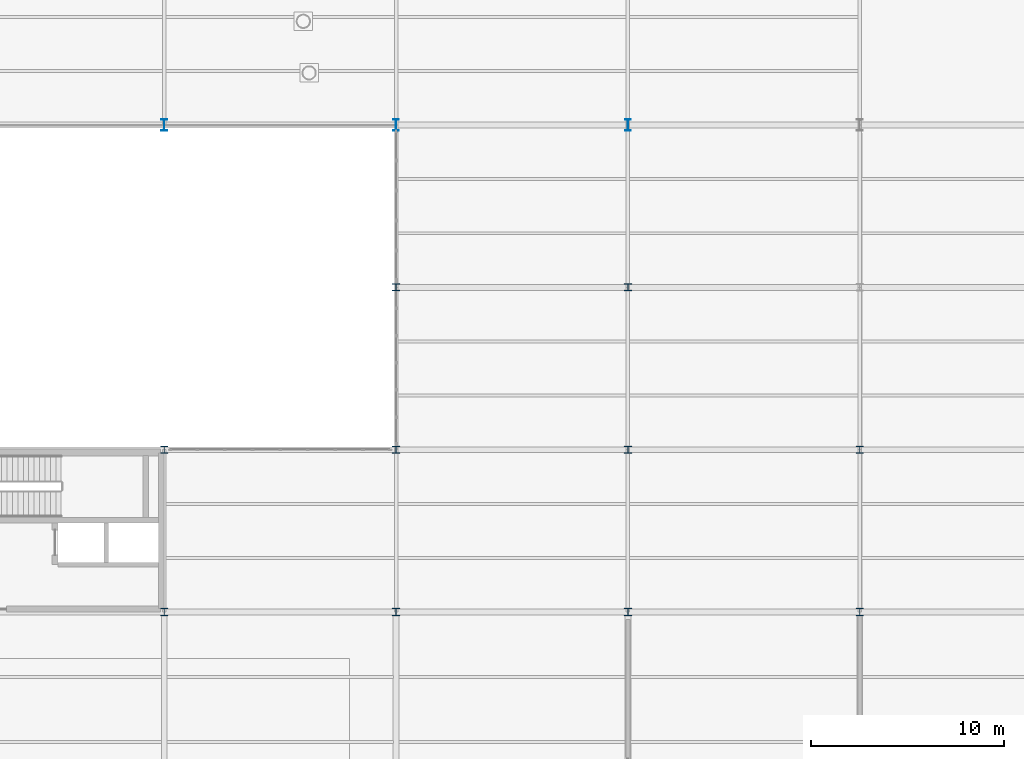
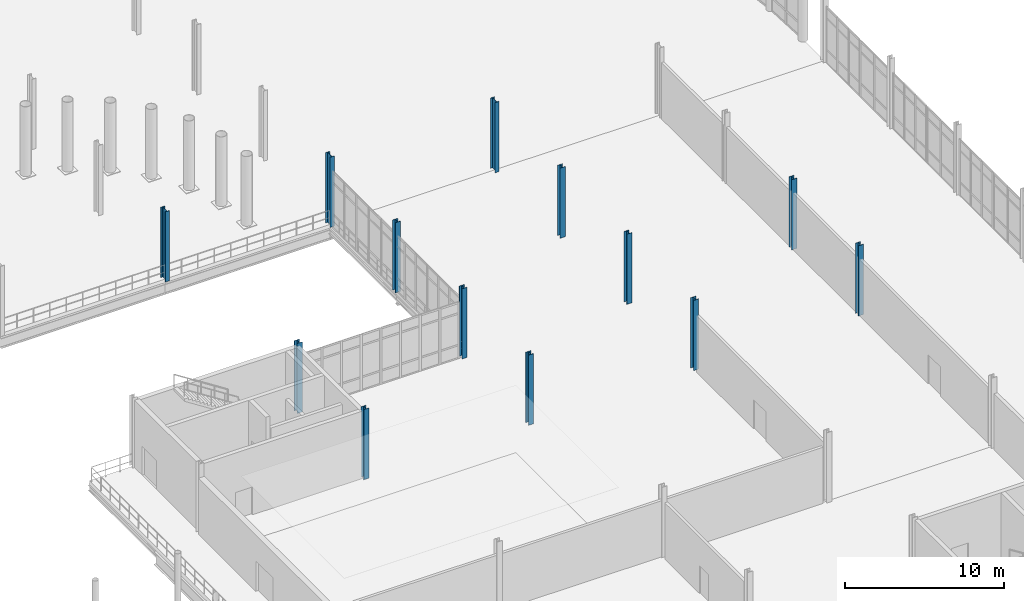
# One storey, part 16 of 111: 13 columns.
"""IFC4 building model written with IfcOpenShell, lengths in metres."""

from ifc_helpers import new_model, si_unit, direction, frame, origin, origin_2d, place, context, subcontext, project, spatial, i_section, extrude, material, material_profile, profile_set, type_object, element, save


model = new_model("IFC4")

# Units and contexts
model_context = context("Model", 3, precision=1e-05, world=origin(), true_north=direction((0.0, 1.0)))
body_context = subcontext(model_context, "Body", "Model", "MODEL_VIEW")
ifc_project = project(units=[si_unit("LENGTHUNIT", "METRE"), si_unit("AREAUNIT", "SQUARE_METRE"), si_unit("VOLUMEUNIT", "CUBIC_METRE"), si_unit("PLANEANGLEUNIT", "RADIAN"), si_unit("MASSUNIT", "GRAM", prefix="KILO"), si_unit("THERMODYNAMICTEMPERATUREUNIT", "KELVIN"), si_unit("POWERUNIT", "WATT")], contexts=[model_context])

# Site, building, storey
site_placement = place(None, origin())
site = spatial("IfcSite", under=ifc_project, at=site_placement, CompositionType="ELEMENT")
building_placement = place(site_placement, origin())
building = spatial("IfcBuilding", under=site, at=building_placement, Name="Tembeka Court Mobility Hub", CompositionType="ELEMENT")
storey_placement = place(building_placement, origin())
storey = spatial("IfcBuildingStorey", under=building, at=storey_placement, Name="L00", CompositionType="ELEMENT", Elevation=0.0)

# Columns
ifc_material = material(Name="Steel S355", Category="steel")
ifc_material_profile_1 = material_profile(ifc_material, i_section(OverallWidth=0.373046875, OverallDepth=0.367919921875, WebThickness=0.014404296875, FlangeThickness=0.023681640625, FilletRadius=0.01513671875, at=origin_2d()), Name="UKC 356x368x177")
ifc_profile_set_1 = profile_set([ifc_material_profile_1], Name="Steel S355")
column_type_1 = type_object("IfcColumnType", Name="COL-C03", PredefinedType="COLUMN", material=ifc_profile_set_1)
for number, where, z_axis, x_axis, name in (
    (1, (128.39990234375, 38.39990234375, 0.0), (0.0, 0.0, 1.0), (1.0, 0.0, 0.0), "Column C03 (L00-176)"),
    (2, (128.39990234375, 46.800048828125, 0.0), (0.0, 0.0, 1.0), (1.0, 0.0, 0.0), "Column C03 (L00-177)"),
    (3, (140.39990234375, 38.39990234375, 0.0), (0.0, 0.0, 1.0), (1.0, 0.0, 0.0), "Column C03 (L00-196)"),
    (4, (140.39990234375, 46.800048828125, 0.0), (0.0, 0.0, 1.0), (1.0, 0.0, 0.0), "Column C03 (L00-197)"),
    (5, (140.39990234375, 55.199951171875, 0.0), (0.0, 0.0, 1.0), (1.0, 0.0, 0.0), "Column C03 (L00-198)"),
    (6, (152.39990234375, 38.39990234375, 0.0), (0.0, 0.0, 1.0), (1.0, 0.0, 0.0), "Column C03 (L00-209)"),
    (7, (152.39990234375, 46.800048828125, 0.0), (0.0, 0.0, 1.0), (1.0, 0.0, 0.0), "Column C03 (L00-210)"),
    (8, (152.39990234375, 55.199951171875, 0.0), (0.0, 0.0, 1.0), (1.0, 0.0, 0.0), "Column C03 (L00-211)"),
    (9, (164.39990234375, 38.39990234375, 0.0), (0.0, 0.0, 1.0), (1.0, 0.0, 0.0), "Column C03 (L00-223)"),
    (10, (164.39990234375, 46.800048828125, 0.0), (0.0, 0.0, 1.0), (1.0, 0.0, 0.0), "Column C03 (L00-224)"),
):
    element("IfcColumn", number, at=place(storey_placement, frame(where, z_axis=z_axis, x_axis=x_axis)), inside=storey, type_object=column_type_1, Name=name, PredefinedType="COLUMN", context=body_context, shape_type="SweptSolid", body=[
        extrude(i_section(OverallWidth=0.373046875, OverallDepth=0.367919921875, WebThickness=0.014404296875, FlangeThickness=0.023681640625, FilletRadius=0.01513671875, at=origin_2d()), origin(), (0.0, 0.0, 1.0), 5.39990234375),
    ])
ifc_material_profile_2 = material_profile(ifc_material, i_section(OverallWidth=0.300048828125, OverallDepth=0.60009765625, WebThickness=0.015380859375, FlangeThickness=0.030029296875, FilletRadius=0.027099609375, at=origin_2d()), Name="HEB 600")
ifc_profile_set_2 = profile_set([ifc_material_profile_2], Name="Steel S355")
column_type_2 = type_object("IfcColumnType", Name="COL-C06", PredefinedType="COLUMN", material=ifc_profile_set_2)
for number, where, z_axis, x_axis, name in (
    (11, (128.39990234375, 63.60009765625, 0.0), (0.0, 0.0, 1.0), (1.0, 0.0, 0.0), "Column C06 (L00-179)"),
    (12, (140.39990234375, 63.60009765625, 0.0), (0.0, 0.0, 1.0), (1.0, 0.0, 0.0), "Column C06 (L00-199)"),
    (13, (152.39990234375, 63.60009765625, 0.0), (0.0, 0.0, 1.0), (1.0, 0.0, 0.0), "Column C06 (L00-212)"),
):
    element("IfcColumn", number, at=place(storey_placement, frame(where, z_axis=z_axis, x_axis=x_axis)), inside=storey, type_object=column_type_2, Name=name, PredefinedType="COLUMN", context=body_context, shape_type="SweptSolid", body=[
        extrude(i_section(OverallWidth=0.300048828125, OverallDepth=0.60009765625, WebThickness=0.015380859375, FlangeThickness=0.030029296875, FilletRadius=0.027099609375, at=origin_2d()), origin(), (0.0, 0.0, 1.0), 5.39990234375),
    ])

save(model, "model.ifc")
